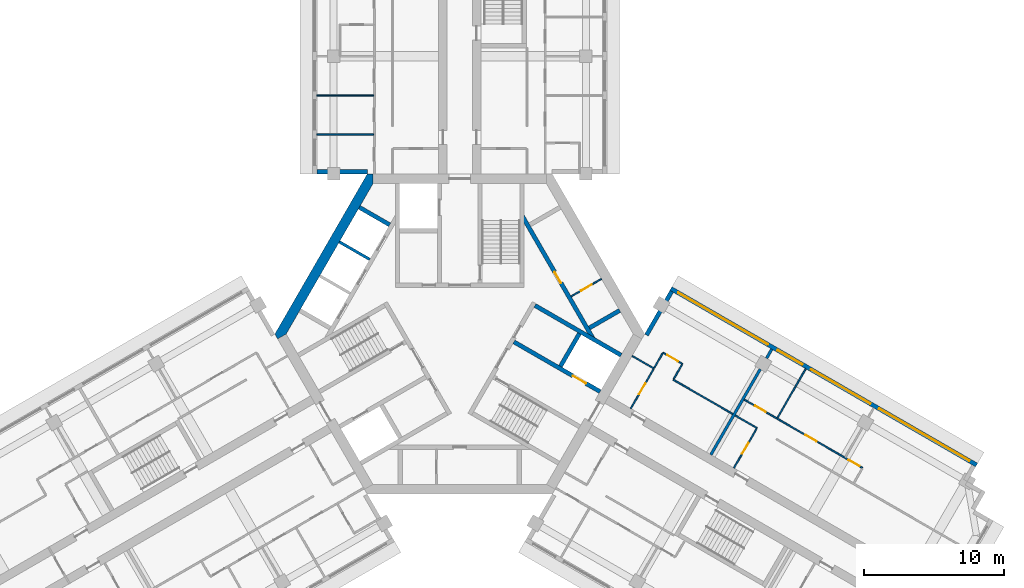
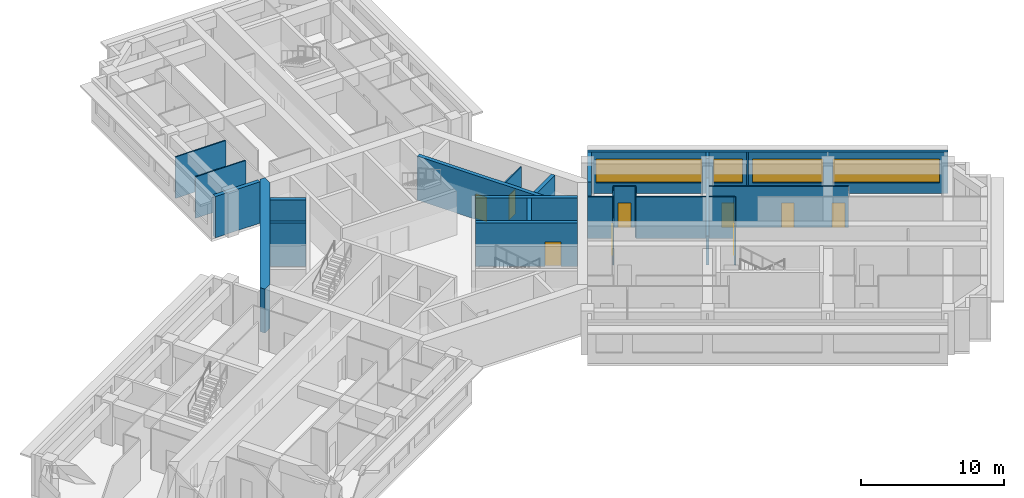
# One storey, part 6 of 10: 26 walls, 9 doors, 4 windows, 13 openings.
"""IFC4 building model written with IfcOpenShell, lengths in metres."""

from ifc_helpers import new_model, si_unit, direction, frame, frame_2d, origin, place, context, subcontext, project, spatial, polyline, rectangle, outline, extrude, material, layer, layer_set, type_object, element, fill, save


model = new_model("IFC4")

# Units and contexts
model_context = context("Model", 3, precision=1e-05, world=origin(), true_north=direction((0.0, 1.0)))
body_context = subcontext(model_context, "Body", "Model", "MODEL_VIEW")
ifc_project = project(units=[si_unit("LENGTHUNIT", "METRE"), si_unit("AREAUNIT", "SQUARE_METRE"), si_unit("VOLUMEUNIT", "CUBIC_METRE"), si_unit("PLANEANGLEUNIT", "RADIAN"), si_unit("MASSUNIT", "GRAM", prefix="KILO")], contexts=[model_context])

# Site, building, storey
site_placement = place(None, origin())
site = spatial("IfcSite", under=ifc_project, at=site_placement, CompositionType="ELEMENT")
building_placement = place(site_placement, origin())
building = spatial("IfcBuilding", under=site, at=building_placement, Name="Impinga Residences", CompositionType="ELEMENT")
storey_placement = place(building_placement, frame((0.0, 0.0, 192.25)))
storey = spatial("IfcBuildingStorey", under=building, at=storey_placement, Name="L47", CompositionType="ELEMENT", Elevation=192.25)

# Wall, opening, door
ifc_material_1 = material(Name="Concrete blockwork", Category="masonry")
ifc_layer_1 = layer(ifc_material_1, 0.10009765625)
ifc_layer_set_1 = layer_set([ifc_layer_1], Name="CP1 core room partition, blockwork 100")
wall_type_1 = type_object("IfcWallType", Name="CP1 core room partition, blockwork 100", PredefinedType="PARTITIONING", material=ifc_layer_set_1)
wall_1_placement = place(storey_placement, frame((7.95361328125, 2.686767578125, 0.0), z_axis=(0.0, 0.0, 1.0), x_axis=(0.866047370643, 0.499961950354, 0.0)))
wall_1 = element("IfcWall", 1, at=wall_1_placement, inside=storey, type_object=wall_type_1, Name="Core room partition, blockwork L47:CORE:mid:ZP1", PredefinedType="PARTITIONING", context=body_context, shape_type="SweptSolid", body=[
    extrude(rectangle(XDim=2.500244140625, YDim=0.10009765625, at=frame_2d((1.25, 0.0))), origin(), (0.0, 0.0, 1.0), 3.530029296875),
])
opening_1_placement = place(wall_1_placement, frame((0.800048828125, 0.0, 0.0)))
opening_1 = element("IfcOpeningElement", 2, at=opening_1_placement, cuts=wall_1, Name="Opening D6", PredefinedType="OPENING", context=body_context, shape_type="SweptSolid", body=[
    extrude(rectangle(XDim=0.89990234375, YDim=2.10009765625, at=frame_2d((0.449951171875, 1.050048828125))), frame((0.0, 0.06005859375, 0.0), z_axis=(0.0, -1.0, 0.0), x_axis=(1.0, 0.0, 0.0)), (0.0, 0.0, 1.0), 0.1201171875),
])
ifc_material_2 = material(Name="Timber door set", Category="wood")
door_type_1 = type_object("IfcDoorType", Name="D6 riser and store door 900x2100", OperationType="SINGLE_SWING_LEFT", PredefinedType="DOOR", material=ifc_material_2)
door_1_placement = place(opening_1_placement, origin())
door_1 = element("IfcDoor", 3, at=door_1_placement, inside=storey, type_object=door_type_1, Name="Residents' storage lockers door", OperationType="SINGLE_SWING_LEFT", OverallHeight=2.10009765625, OverallWidth=0.89990234375, PredefinedType="DOOR", context=body_context, shape_type="SweptSolid", body=[
    extrude(rectangle(XDim=0.89990234375, YDim=2.10009765625, at=frame_2d((0.449951171875, 1.050048828125))), frame((0.0, 0.02490234375, 0.0), z_axis=(0.0, -1.0, 0.0), x_axis=(1.0, 0.0, 0.0)), (0.0, 0.0, 1.0), 0.050048828125),
])
fill(opening_1, door_1)

# Walls
ifc_material_3 = material(Name="Terracotta rainscreen on blockwork", Category="masonry")
ifc_layer_2 = layer(ifc_material_3, 0.300048828125)
ifc_layer_set_2 = layer_set([ifc_layer_2], Name="EW1 external wall, terracotta rainscreen on blockwork 300")
wall_type_2 = type_object("IfcWallType", Name="EW1 external wall, terracotta rainscreen on blockwork 300", PredefinedType="SOLIDWALL", material=ifc_layer_set_2)
wall_2_placement = place(storey_placement, frame((-6.60009765625, 11.58154296875, 0.0), z_axis=(0.0, 0.0, 1.0), x_axis=(-1.0, 0.0, 0.0)))
element("IfcWall", 4, at=wall_2_placement, inside=storey, type_object=wall_type_2, Name="External wall EW1 L47", PredefinedType="SOLIDWALL", context=body_context, shape_type="SweptSolid", body=[
    extrude(rectangle(XDim=3.599853515625, YDim=0.300048828125, at=frame_2d((1.7998046875, 0.0))), origin(), (0.0, 0.0, 1.0), 3.530029296875),
])
wall_3_placement = place(storey_placement, frame((13.329833984375, -0.074951171875, 0.0), z_axis=(0.0, 0.0, 1.0), x_axis=(0.500012057535, 0.866018442252, 0.0)))
element("IfcWall", 5, at=wall_3_placement, inside=storey, type_object=wall_type_2, Name="External wall EW1 L47", PredefinedType="SOLIDWALL", context=body_context, shape_type="SweptSolid", body=[
    extrude(rectangle(XDim=3.60009765625, YDim=0.300048828125, at=frame_2d((1.800048828125, 0.0))), origin(), (0.0, 0.0, 1.0), 3.530029296875),
])

# Wall, openings, windows
wall_4_placement = place(storey_placement, frame((15.074951171875, 3.24755859375, 0.0), z_axis=(0.0, 0.0, 1.0), x_axis=(0.86602925447, -0.499993330357, 0.0)))
wall_4 = element("IfcWall", 6, at=wall_4_placement, inside=storey, type_object=wall_type_2, Name="External wall EW1 L47", PredefinedType="SOLIDWALL", context=body_context, shape_type="SweptSolid", body=[
    extrude(rectangle(XDim=25.199951171875, YDim=0.300048828125, at=frame_2d((12.60009765625, 0.0))), origin(), (0.0, 0.0, 1.0), 3.530029296875),
])
opening_2_placement = place(wall_4_placement, frame((0.60009765625, 0.0, 0.89990234375)))
opening_2 = element("IfcOpeningElement", 7, at=opening_2_placement, cuts=wall_4, Name="Opening W12", PredefinedType="OPENING", context=body_context, shape_type="SweptSolid", body=[
    extrude(rectangle(XDim=7.39990234375, YDim=2.050048828125, at=frame_2d((3.699951171875, 1.02490234375))), frame((0.0, 0.159912109375, 0.0), z_axis=(0.0, -1.0, 0.0), x_axis=(1.0, 0.0, 0.0)), (0.0, 0.0, 1.0), 0.320068359375),
])
opening_3_placement = place(wall_4_placement, frame((8.800048828125, 0.0, 0.89990234375)))
opening_3 = element("IfcOpeningElement", 8, at=opening_3_placement, cuts=wall_4, Name="Opening W14", PredefinedType="OPENING", context=body_context, shape_type="SweptSolid", body=[
    extrude(rectangle(XDim=2.050048828125, YDim=2.050048828125, at=frame_2d((1.02490234375, 1.02490234375))), frame((0.0, 0.159912109375, 0.0), z_axis=(0.0, -1.0, 0.0), x_axis=(1.0, 0.0, 0.0)), (0.0, 0.0, 1.0), 0.320068359375),
])
opening_4_placement = place(wall_4_placement, frame((11.550048828125, 0.0, 0.89990234375)))
opening_4 = element("IfcOpeningElement", 9, at=opening_4_placement, cuts=wall_4, Name="Opening W16", PredefinedType="OPENING", context=body_context, shape_type="SweptSolid", body=[
    extrude(rectangle(XDim=4.89990234375, YDim=2.050048828125, at=frame_2d((2.449951171875, 1.02490234375))), frame((0.0, 0.159912109375, 0.0), z_axis=(0.0, -1.0, 0.0), x_axis=(1.0, 0.0, 0.0)), (0.0, 0.0, 1.0), 0.320068359375),
])
opening_5_placement = place(wall_4_placement, frame((17.14990234375, 0.0, 0.89990234375)))
opening_5 = element("IfcOpeningElement", 10, at=opening_5_placement, cuts=wall_4, Name="Opening W7", PredefinedType="OPENING", context=body_context, shape_type="SweptSolid", body=[
    extrude(rectangle(XDim=7.449951171875, YDim=2.050048828125, at=frame_2d((3.72509765625, 1.02490234375))), frame((0.0, 0.159912109375, 0.0), z_axis=(0.0, -1.0, 0.0), x_axis=(1.0, 0.0, 0.0)), (0.0, 0.0, 1.0), 0.320068359375),
])
ifc_material_4 = material(Name="Aluminium window, clear double glazing", Category="aluminium")
window_type_1 = type_object("IfcWindowType", Name="W12 ribbon window 7400x2050", PartitioningType="SINGLE_PANEL", PredefinedType="WINDOW", material=ifc_material_4)
window_1_placement = place(opening_2_placement, origin())
window_1 = element("IfcWindow", 11, at=window_1_placement, inside=storey, type_object=window_type_1, Name="Window L47", OverallHeight=2.050048828125, OverallWidth=7.39990234375, PartitioningType="SINGLE_PANEL", PredefinedType="WINDOW", context=body_context, shape_type="SweptSolid", body=[
    extrude(rectangle(XDim=7.39990234375, YDim=2.050048828125, at=frame_2d((3.699951171875, 1.02490234375))), frame((0.0, 0.030029296875, 0.0), z_axis=(0.0, -1.0, 0.0), x_axis=(1.0, 0.0, 0.0)), (0.0, 0.0, 1.0), 0.06005859375),
])
fill(opening_2, window_1)
window_type_2 = type_object("IfcWindowType", Name="W14 ribbon window 2050x2050", PartitioningType="SINGLE_PANEL", PredefinedType="WINDOW", material=ifc_material_4)
window_2_placement = place(opening_3_placement, origin())
window_2 = element("IfcWindow", 12, at=window_2_placement, inside=storey, type_object=window_type_2, Name="Window L47", OverallHeight=2.050048828125, OverallWidth=2.050048828125, PartitioningType="SINGLE_PANEL", PredefinedType="WINDOW", context=body_context, shape_type="SweptSolid", body=[
    extrude(rectangle(XDim=2.050048828125, YDim=2.050048828125, at=frame_2d((1.02490234375, 1.02490234375))), frame((0.0, 0.030029296875, 0.0), z_axis=(0.0, -1.0, 0.0), x_axis=(1.0, 0.0, 0.0)), (0.0, 0.0, 1.0), 0.06005859375),
])
fill(opening_3, window_2)
window_type_3 = type_object("IfcWindowType", Name="W16 ribbon window 4900x2050", PartitioningType="SINGLE_PANEL", PredefinedType="WINDOW", material=ifc_material_4)
window_3_placement = place(opening_4_placement, origin())
window_3 = element("IfcWindow", 13, at=window_3_placement, inside=storey, type_object=window_type_3, Name="Window L47", OverallHeight=2.050048828125, OverallWidth=4.89990234375, PartitioningType="SINGLE_PANEL", PredefinedType="WINDOW", context=body_context, shape_type="SweptSolid", body=[
    extrude(rectangle(XDim=4.89990234375, YDim=2.050048828125, at=frame_2d((2.449951171875, 1.02490234375))), frame((0.0, 0.030029296875, 0.0), z_axis=(0.0, -1.0, 0.0), x_axis=(1.0, 0.0, 0.0)), (0.0, 0.0, 1.0), 0.06005859375),
])
fill(opening_4, window_3)
window_type_4 = type_object("IfcWindowType", Name="W7 ribbon window 7450x2050", PartitioningType="SINGLE_PANEL", PredefinedType="WINDOW", material=ifc_material_4)
window_4_placement = place(opening_5_placement, origin())
window_4 = element("IfcWindow", 14, at=window_4_placement, inside=storey, type_object=window_type_4, Name="Window L47", OverallHeight=2.050048828125, OverallWidth=7.449951171875, PartitioningType="SINGLE_PANEL", PredefinedType="WINDOW", context=body_context, shape_type="SweptSolid", body=[
    extrude(rectangle(XDim=7.449951171875, YDim=2.050048828125, at=frame_2d((3.72509765625, 1.02490234375))), frame((0.0, 0.030029296875, 0.0), z_axis=(0.0, -1.0, 0.0), x_axis=(1.0, 0.0, 0.0)), (0.0, 0.0, 1.0), 0.06005859375),
])
fill(opening_5, window_4)

# Walls
ifc_material_5 = material(Name="Gypsum board on steel studs", Category="steel")
ifc_layer_3 = layer(ifc_material_5, 0.10009765625)
ifc_layer_set_3 = layer_set([ifc_layer_3], Name="Gypsum board on steel studs")
wall_type_3 = type_object("IfcWallType", Name="IP1 partition 100", PredefinedType="PARTITIONING", material=ifc_layer_set_3)
for number, where, z_axis, x_axis, name in (
    (15, (-6.14990234375, 14.2314453125, 0.0), (0.0, 0.0, 1.0), (-1.0, 0.0, 0.0), "Partition L47-NA1:OB1"),
    (16, (-6.14990234375, 17.031494140625, 0.0), (0.0, 0.0, 1.0), (-1.0, 0.0, 0.0), "Partition L47-NA1:OB2"),
):
    element("IfcWall", number, at=place(storey_placement, frame(where, z_axis=z_axis, x_axis=x_axis)), inside=storey, type_object=wall_type_3, Name=name, PredefinedType="PARTITIONING", context=body_context, shape_type="SweptSolid", body=[
        extrude(rectangle(XDim=4.050048828125, YDim=0.10009765625, at=frame_2d((2.02490234375, 0.0))), origin(), (0.0, 0.0, 1.0), 3.530029296875),
    ])
wall_5_placement = place(storey_placement, frame((12.300048828125, -1.558837890625, 0.0), z_axis=(0.0, 0.0, 1.0), x_axis=(0.866047807691, -0.499961193289, 0.0)))
element("IfcWall", 17, at=wall_5_placement, inside=storey, type_object=wall_type_3, Name="Partition L47-EA1:DIV0", PredefinedType="PARTITIONING", context=body_context, shape_type="SweptSolid", body=[
    extrude(rectangle(XDim=1.800048828125, YDim=0.10009765625, at=frame_2d((0.89990234375, 0.0))), origin(), (0.0, 0.0, 1.0), 3.530029296875),
])
wall_6_placement = place(storey_placement, frame((15.244384765625, -3.2587890625, 0.0), z_axis=(0.0, 0.0, 1.0), x_axis=(0.866036242063, -0.49998122708, 0.0)))
element("IfcWall", 18, at=wall_6_placement, inside=storey, type_object=wall_type_3, Name="Partition L47-EA1:DIV1", PredefinedType="PARTITIONING", context=body_context, shape_type="SweptSolid", body=[
    extrude(rectangle(XDim=4.900146484375, YDim=0.10009765625, at=frame_2d((2.4501953125, 0.0))), origin(), (0.0, 0.0, 1.0), 3.530029296875),
])

# Wall, opening, door
wall_7_placement = place(storey_placement, frame((14.5087890625, -1.3330078125, 0.0), z_axis=(0.0, 0.0, 1.0), x_axis=(0.866028054938, -0.499995408039, 0.0)))
wall_7 = element("IfcWall", 19, at=wall_7_placement, inside=storey, type_object=wall_type_3, Name="Partition L47-EA1:STRIP", PredefinedType="PARTITIONING", context=body_context, shape_type="SweptSolid", body=[
    extrude(rectangle(XDim=1.60009765625, YDim=0.10009765625, at=frame_2d((0.800048828125, 0.0))), origin(), (0.0, 0.0, 1.0), 3.530029296875),
])
opening_6_placement = place(wall_7_placement, frame((0.35009765625, 0.0, 0.0)))
opening_6 = element("IfcOpeningElement", 20, at=opening_6_placement, cuts=wall_7, Name="Opening D2", PredefinedType="OPENING", context=body_context, shape_type="SweptSolid", body=[
    extrude(rectangle(XDim=0.89990234375, YDim=2.10009765625, at=frame_2d((0.449951171875, 1.050048828125))), frame((0.0, 0.06005859375, 0.0), z_axis=(0.0, -1.0, 0.0), x_axis=(1.0, 0.0, 0.0)), (0.0, 0.0, 1.0), 0.1201171875),
])
door_type_2 = type_object("IfcDoorType", Name="D2 internal door 900x2100", OperationType="SINGLE_SWING_LEFT", PredefinedType="DOOR", material=ifc_material_2)
door_2_placement = place(opening_6_placement, origin())
door_2 = element("IfcDoor", 21, at=door_2_placement, inside=storey, type_object=door_type_2, Name="Apartment L47-EA1 room door", OperationType="SINGLE_SWING_LEFT", OverallHeight=2.10009765625, OverallWidth=0.89990234375, PredefinedType="DOOR", context=body_context, shape_type="SweptSolid", body=[
    extrude(rectangle(XDim=0.89990234375, YDim=2.10009765625, at=frame_2d((0.449951171875, 1.050048828125))), frame((0.0, 0.02490234375, 0.0), z_axis=(0.0, -1.0, 0.0), x_axis=(1.0, 0.0, 0.0)), (0.0, 0.0, 1.0), 0.050048828125),
])
fill(opening_6, door_2)

# Walls
wall_8_placement = place(storey_placement, frame((13.8837890625, -2.41552734375, 0.0), z_axis=(0.0, 0.0, 1.0), x_axis=(0.500033551112, 0.866006032174, 0.0)))
element("IfcWall", 22, at=wall_8_placement, inside=storey, type_object=wall_type_3, Name="Partition L47-EA1:SE0", PredefinedType="PARTITIONING", context=body_context, shape_type="SweptSolid", body=[
    extrude(rectangle(XDim=1.2001953125, YDim=0.10009765625, at=frame_2d((0.60009765625, 0.0))), origin(), (0.0, 0.0, 1.0), 3.530029296875),
])
wall_9_placement = place(storey_placement, frame((15.26953125, -3.215576171875, 0.0), z_axis=(0.0, 0.0, 1.0), x_axis=(0.499880961361, 0.866094119867, 0.0)))
element("IfcWall", 23, at=wall_9_placement, inside=storey, type_object=wall_type_3, Name="Partition L47-EA1:SE1", PredefinedType="PARTITIONING", context=body_context, shape_type="SweptSolid", body=[
    extrude(rectangle(XDim=1.199951171875, YDim=0.10009765625, at=frame_2d((0.60009765625, 0.0))), origin(), (0.0, 0.0, 1.0), 3.530029296875),
])

# Wall, opening, door
wall_10_placement = place(storey_placement, frame((12.208740234375, -5.316650390625, 0.0), z_axis=(0.0, 0.0, 1.0), x_axis=(0.500017246033, 0.866015446554, 0.0)))
wall_10 = element("IfcWall", 24, at=wall_10_placement, inside=storey, type_object=wall_type_3, Name="Partition L47-EA1:IB1", PredefinedType="PARTITIONING", context=body_context, shape_type="SweptSolid", body=[
    extrude(rectangle(XDim=3.25, YDim=0.10009765625, at=frame_2d((1.625, 0.0))), origin(), (0.0, 0.0, 1.0), 3.530029296875),
])
opening_7_placement = place(wall_10_placement, frame((1.175048828125, 0.0, 0.0)))
opening_7 = element("IfcOpeningElement", 25, at=opening_7_placement, cuts=wall_10, Name="Opening D2", PredefinedType="OPENING", context=body_context, shape_type="SweptSolid", body=[
    extrude(rectangle(XDim=0.89990234375, YDim=2.10009765625, at=frame_2d((0.449951171875, 1.050048828125))), frame((0.0, 0.06005859375, 0.0), z_axis=(0.0, -1.0, 0.0), x_axis=(1.0, 0.0, 0.0)), (0.0, 0.0, 1.0), 0.1201171875),
])
door_3_placement = place(opening_7_placement, origin())
door_3 = element("IfcDoor", 26, at=door_3_placement, inside=storey, type_object=door_type_2, Name="Apartment L47-EA1 bathroom door", OperationType="SINGLE_SWING_LEFT", OverallHeight=2.10009765625, OverallWidth=0.89990234375, PredefinedType="DOOR", context=body_context, shape_type="SweptSolid", body=[
    extrude(rectangle(XDim=0.89990234375, YDim=2.10009765625, at=frame_2d((0.449951171875, 1.050048828125))), frame((0.0, 0.02490234375, 0.0), z_axis=(0.0, -1.0, 0.0), x_axis=(1.0, 0.0, 0.0)), (0.0, 0.0, 1.0), 0.050048828125),
])
fill(opening_7, door_3)

# Wall
wall_11_placement = place(storey_placement, frame((19.6611328125, -5.808837890625, 0.0), z_axis=(0.0, 0.0, 1.0), x_axis=(0.866047807691, -0.499961193289, 0.0)))
element("IfcWall", 27, at=wall_11_placement, inside=storey, type_object=wall_type_3, Name="Partition L47-EA2:DIV0", PredefinedType="PARTITIONING", context=body_context, shape_type="SweptSolid", body=[
    extrude(rectangle(XDim=1.800048828125, YDim=0.10009765625, at=frame_2d((0.89990234375, 0.0))), origin(), (0.0, 0.0, 1.0), 3.530029296875),
])

# Wall, openings, doors
wall_12_placement = place(storey_placement, frame((20.311279296875, -4.68310546875, 0.0), z_axis=(0.0, 0.0, 1.0), x_axis=(0.866021707014, -0.500006402939, 0.0)))
wall_12 = element("IfcWall", 28, at=wall_12_placement, inside=storey, type_object=wall_type_3, Name="Partition L47-EA2:STRIP", PredefinedType="PARTITIONING", context=body_context, shape_type="SweptSolid", body=[
    extrude(rectangle(XDim=9.749755859375, YDim=0.10009765625, at=frame_2d((4.875, 0.0))), origin(), (0.0, 0.0, 1.0), 3.530029296875),
])
opening_8_placement = place(wall_12_placement, frame((0.875, 0.0, 0.0)))
opening_8 = element("IfcOpeningElement", 29, at=opening_8_placement, cuts=wall_12, Name="Opening D2", PredefinedType="OPENING", context=body_context, shape_type="SweptSolid", body=[
    extrude(rectangle(XDim=0.89990234375, YDim=2.10009765625, at=frame_2d((0.449951171875, 1.050048828125))), frame((0.0, 0.06005859375, 0.0), z_axis=(0.0, -1.0, 0.0), x_axis=(1.0, 0.0, 0.0)), (0.0, 0.0, 1.0), 0.1201171875),
])
opening_9_placement = place(wall_12_placement, frame((5.050048828125, 0.0, 0.0)))
opening_9 = element("IfcOpeningElement", 30, at=opening_9_placement, cuts=wall_12, Name="Opening D2", PredefinedType="OPENING", context=body_context, shape_type="SweptSolid", body=[
    extrude(rectangle(XDim=0.89990234375, YDim=2.10009765625, at=frame_2d((0.449951171875, 1.050048828125))), frame((0.0, 0.06005859375, 0.0), z_axis=(0.0, -1.0, 0.0), x_axis=(1.0, 0.0, 0.0)), (0.0, 0.0, 1.0), 0.1201171875),
])
opening_10_placement = place(wall_12_placement, frame((8.60009765625, 0.0, 0.0)))
opening_10 = element("IfcOpeningElement", 31, at=opening_10_placement, cuts=wall_12, Name="Opening D2", PredefinedType="OPENING", context=body_context, shape_type="SweptSolid", body=[
    extrude(rectangle(XDim=0.89990234375, YDim=2.10009765625, at=frame_2d((0.449951171875, 1.050048828125))), frame((0.0, 0.06005859375, 0.0), z_axis=(0.0, -1.0, 0.0), x_axis=(1.0, 0.0, 0.0)), (0.0, 0.0, 1.0), 0.1201171875),
])
door_4_placement = place(opening_8_placement, origin())
door_4 = element("IfcDoor", 32, at=door_4_placement, inside=storey, type_object=door_type_2, Name="Apartment L47-EA2 room door", OperationType="SINGLE_SWING_LEFT", OverallHeight=2.10009765625, OverallWidth=0.89990234375, PredefinedType="DOOR", context=body_context, shape_type="SweptSolid", body=[
    extrude(rectangle(XDim=0.89990234375, YDim=2.10009765625, at=frame_2d((0.449951171875, 1.050048828125))), frame((0.0, 0.02490234375, 0.0), z_axis=(0.0, -1.0, 0.0), x_axis=(1.0, 0.0, 0.0)), (0.0, 0.0, 1.0), 0.050048828125),
])
fill(opening_8, door_4)
door_5_placement = place(opening_9_placement, origin())
door_5 = element("IfcDoor", 33, at=door_5_placement, inside=storey, type_object=door_type_2, Name="Apartment L47-EA2 room door", OperationType="SINGLE_SWING_RIGHT", OverallHeight=2.10009765625, OverallWidth=0.89990234375, PredefinedType="DOOR", context=body_context, shape_type="SweptSolid", body=[
    extrude(rectangle(XDim=0.89990234375, YDim=2.10009765625, at=frame_2d((0.449951171875, 1.050048828125))), frame((0.0, 0.02490234375, 0.0), z_axis=(0.0, -1.0, 0.0), x_axis=(1.0, 0.0, 0.0)), (0.0, 0.0, 1.0), 0.050048828125),
])
fill(opening_9, door_5)
door_6_placement = place(opening_10_placement, origin())
door_6 = element("IfcDoor", 34, at=door_6_placement, inside=storey, type_object=door_type_2, Name="Apartment L47-EA2 room door", OperationType="SINGLE_SWING_RIGHT", OverallHeight=2.10009765625, OverallWidth=0.89990234375, PredefinedType="DOOR", context=body_context, shape_type="SweptSolid", body=[
    extrude(rectangle(XDim=0.89990234375, YDim=2.10009765625, at=frame_2d((0.449951171875, 1.050048828125))), frame((0.0, 0.02490234375, 0.0), z_axis=(0.0, -1.0, 0.0), x_axis=(1.0, 0.0, 0.0)), (0.0, 0.0, 1.0), 0.050048828125),
])
fill(opening_10, door_6)

# Wall, opening, door
wall_13_placement = place(storey_placement, frame((19.570068359375, -9.566650390625, 0.0), z_axis=(0.0, 0.0, 1.0), x_axis=(0.500017246033, 0.866015446554, 0.0)))
wall_13 = element("IfcWall", 35, at=wall_13_placement, inside=storey, type_object=wall_type_3, Name="Partition L47-EA2:IB1", PredefinedType="PARTITIONING", context=body_context, shape_type="SweptSolid", body=[
    extrude(rectangle(XDim=3.25, YDim=0.10009765625, at=frame_2d((1.625, 0.0))), origin(), (0.0, 0.0, 1.0), 3.530029296875),
])
opening_11_placement = place(wall_13_placement, frame((1.175048828125, 0.0, 0.0)))
opening_11 = element("IfcOpeningElement", 36, at=opening_11_placement, cuts=wall_13, Name="Opening D2", PredefinedType="OPENING", context=body_context, shape_type="SweptSolid", body=[
    extrude(rectangle(XDim=0.89990234375, YDim=2.10009765625, at=frame_2d((0.449951171875, 1.050048828125))), frame((0.0, 0.06005859375, 0.0), z_axis=(0.0, -1.0, 0.0), x_axis=(1.0, 0.0, 0.0)), (0.0, 0.0, 1.0), 0.1201171875),
])
door_7_placement = place(opening_11_placement, origin())
door_7 = element("IfcDoor", 37, at=door_7_placement, inside=storey, type_object=door_type_2, Name="Apartment L47-EA2 bathroom door", OperationType="SINGLE_SWING_LEFT", OverallHeight=2.10009765625, OverallWidth=0.89990234375, PredefinedType="DOOR", context=body_context, shape_type="SweptSolid", body=[
    extrude(rectangle(XDim=0.89990234375, YDim=2.10009765625, at=frame_2d((0.449951171875, 1.050048828125))), frame((0.0, 0.02490234375, 0.0), z_axis=(0.0, -1.0, 0.0), x_axis=(1.0, 0.0, 0.0)), (0.0, 0.0, 1.0), 0.050048828125),
])
fill(opening_11, door_7)

# Walls
wall_14_placement = place(storey_placement, frame((22.674560546875, -5.98974609375, 0.0), z_axis=(0.0, 0.0, 1.0), x_axis=(0.499990325971, 0.866030989016, 0.0)))
element("IfcWall", 38, at=wall_14_placement, inside=storey, type_object=wall_type_3, Name="Partition L47-EA2:OB1", PredefinedType="PARTITIONING", context=body_context, shape_type="SweptSolid", body=[
    extrude(rectangle(XDim=4.0498046875, YDim=0.10009765625, at=frame_2d((2.02490234375, 0.0))), origin(), (0.0, 0.0, 1.0), 3.530029296875),
])
ifc_layer_4 = layer(ifc_material_1, 0.199951171875)
ifc_layer_set_4 = layer_set([ifc_layer_4], Name="PW1 party wall between apartments 200")
wall_type_4 = type_object("IfcWallType", Name="PW1 party wall between apartments 200", PredefinedType="SOLIDWALL", material=ifc_layer_set_4)
wall_15_placement = place(storey_placement, frame((17.924560546875, -8.61669921875, 0.0), z_axis=(0.0, 0.0, 1.0), x_axis=(0.500016218704, 0.866016039709, 0.0)))
element("IfcWall", 39, at=wall_15_placement, inside=storey, type_object=wall_type_4, Name="Party wall between apartments L47-EA1:PARTY", PredefinedType="SOLIDWALL", context=body_context, shape_type="SweptSolid", body=[
    extrude(rectangle(XDim=7.050048828125, YDim=0.199951171875, at=frame_2d((3.52490234375, 0.0))), origin(), (0.0, 0.0, 1.0), 2.47998046875),
])
wall_16_placement = place(storey_placement, frame((21.899658203125, -1.73193359375, 0.0), z_axis=(0.0, 0.0, 1.0), x_axis=(0.499919672301, 0.866071776036, 0.0)))
element("IfcWall", 40, at=wall_16_placement, inside=storey, type_object=wall_type_4, Name="Party wall between apartments L47-EA1:PARTYb", PredefinedType="SOLIDWALL", context=body_context, shape_type="SweptSolid", body=[
    extrude(rectangle(XDim=0.75, YDim=0.199951171875, at=frame_2d((0.375, 0.0))), origin(), (0.0, 0.0, 1.0), 3.530029296875),
])
ifc_material_6 = material(Name="Concrete C60/75", Category="concrete")
ifc_layer_5 = layer(ifc_material_6, 0.699951171875)
ifc_layer_set_5 = layer_set([ifc_layer_5], Name="Concrete C60/75")
wall_type_5 = type_object("IfcWallType", Name="SW3 core wall 700", PredefinedType="SHEAR", material=ifc_layer_set_5)
wall_17_placement = place(storey_placement, origin())
element("IfcWall", 41, at=wall_17_placement, inside=storey, type_object=wall_type_5, Name="Core wall SW3 E:EXPOSED L47", PredefinedType="SHEAR", context=body_context, shape_type="SweptSolid", body=[
    extrude(outline(polyline([(-6.60009765625, 11.431640625), (-13.199951171875, 0.0), (-12.998046875, -0.35009765625), (-12.3916015625, 0.0), (-6.19580078125, 10.7314453125), (-6.19580078125, 11.431640625), (-6.60009765625, 11.431640625)])), origin(), (0.0, 0.0, 1.0), 3.75),
])

# Wall, opening, door
ifc_material_7 = material(Name="Concrete C70/85", Category="concrete")
ifc_layer_6 = layer(ifc_material_7, 0.300048828125)
ifc_layer_set_6 = layer_set([ifc_layer_6], Name="Concrete C70/85")
wall_type_6 = type_object("IfcWallType", Name="SW5 core inner wall, stairs, shafts and lobbies 300", PredefinedType="SHEAR", material=ifc_layer_set_6)
wall_18_placement = place(storey_placement, frame((3.86865234375, -0.559326171875, 0.0), z_axis=(0.0, 0.0, 1.0), x_axis=(0.866025859768, -0.499999210213, 0.0)))
wall_18 = element("IfcWall", 42, at=wall_18_placement, inside=storey, type_object=wall_type_6, Name="Core wall SW5 E:FF-IN L47", PredefinedType="SHEAR", context=body_context, shape_type="SweptSolid", body=[
    extrude(rectangle(XDim=7.1015625, YDim=0.300048828125, at=frame_2d((3.55078125, 0.0))), origin(), (0.0, 0.0, 1.0), 3.75),
])
opening_12_placement = place(wall_18_placement, frame((4.85009765625, 0.0, 0.0)))
opening_12 = element("IfcOpeningElement", 43, at=opening_12_placement, cuts=wall_18, Name="Opening LD2", PredefinedType="OPENING", context=body_context, shape_type="SweptSolid", body=[
    extrude(rectangle(XDim=1.10009765625, YDim=2.10009765625, at=frame_2d((0.550048828125, 1.050048828125))), frame((0.0, 0.159912109375, 0.0), z_axis=(0.0, -1.0, 0.0), x_axis=(1.0, 0.0, 0.0)), (0.0, 0.0, 1.0), 0.320068359375),
])
ifc_material_8 = material(Name="Steel lift landing door", Category="steel")
door_type_3 = type_object("IfcDoorType", Name="LD2 firefighting lift landing door 1100x2100", OperationType="DOUBLE_DOOR_SLIDING", PredefinedType="DOOR", material=ifc_material_8)
door_8_placement = place(opening_12_placement, origin())
door_8 = element("IfcDoor", 44, at=door_8_placement, inside=storey, type_object=door_type_3, Name="Firefighting lift landing door F3", OperationType="DOUBLE_DOOR_SLIDING", OverallHeight=2.10009765625, OverallWidth=1.10009765625, PredefinedType="DOOR", context=body_context, shape_type="SweptSolid", body=[
    extrude(rectangle(XDim=1.10009765625, YDim=2.10009765625, at=frame_2d((0.550048828125, 1.050048828125))), frame((0.0, 0.02490234375, 0.0), z_axis=(0.0, -1.0, 0.0), x_axis=(1.0, 0.0, 0.0)), (0.0, 0.0, 1.0), 0.050048828125),
])
fill(opening_12, door_8)

# Walls
wall_19_placement = place(storey_placement, frame((5.36865234375, 2.038818359375, 0.0), z_axis=(0.0, 0.0, 1.0), x_axis=(0.866025859768, -0.499999210213, 0.0)))
element("IfcWall", 45, at=wall_19_placement, inside=storey, type_object=wall_type_6, Name="Core wall SW5 E:FF-OUT L47", PredefinedType="SHEAR", context=body_context, shape_type="SweptSolid", body=[
    extrude(rectangle(XDim=7.1015625, YDim=0.300048828125, at=frame_2d((3.55078125, 0.0))), origin(), (0.0, 0.0, 1.0), 3.75),
])
wall_20_placement = place(storey_placement, frame((8.541259765625, 0.033935546875, 0.0), z_axis=(0.0, 0.0, 1.0), x_axis=(-0.50000943426, -0.866019956843, 0.0)))
element("IfcWall", 46, at=wall_20_placement, inside=storey, type_object=wall_type_6, Name="Core wall SW5 E:FF-RS L47", PredefinedType="SHEAR", context=body_context, shape_type="SweptSolid", body=[
    extrude(rectangle(XDim=2.7001953125, YDim=0.300048828125, at=frame_2d((1.35009765625, 0.0))), origin(), (0.0, 0.0, 1.0), 3.75),
])

# Wall, opening, door
wall_21_placement = place(storey_placement, frame((4.449951171875, 8.455322265625, 0.0), z_axis=(0.0, 0.0, 1.0), x_axis=(0.500002290144, -0.866024081565, 0.0)))
wall_21 = element("IfcWall", 47, at=wall_21_placement, inside=storey, type_object=wall_type_6, Name="Core wall SW5 W:BANK-FRONT L47", PredefinedType="SHEAR", context=body_context, shape_type="SweptSolid", body=[
    extrude(rectangle(XDim=10.1953125, YDim=0.300048828125, at=frame_2d((5.09765625, 0.0))), origin(), (0.0, 0.0, 1.0), 3.75),
])
opening_13_placement = place(wall_21_placement, frame((4.647705078125, 0.0, 0.0)))
opening_13 = element("IfcOpeningElement", 48, at=opening_13_placement, cuts=wall_21, Name="Opening D6", PredefinedType="OPENING", context=body_context, shape_type="SweptSolid", body=[
    extrude(rectangle(XDim=0.89990234375, YDim=2.10009765625, at=frame_2d((0.449951171875, 1.050048828125))), frame((0.0, 0.159912109375, 0.0), z_axis=(0.0, -1.0, 0.0), x_axis=(1.0, 0.0, 0.0)), (0.0, 0.0, 1.0), 0.320068359375),
])
door_9_placement = place(opening_13_placement, origin())
door_9 = element("IfcDoor", 49, at=door_9_placement, inside=storey, type_object=door_type_1, Name="Residents' study door", OperationType="SINGLE_SWING_RIGHT", OverallHeight=2.10009765625, OverallWidth=0.89990234375, PredefinedType="DOOR", context=body_context, shape_type="SweptSolid", body=[
    extrude(rectangle(XDim=0.89990234375, YDim=2.10009765625, at=frame_2d((0.449951171875, 1.050048828125))), frame((0.0, 0.02490234375, 0.0), z_axis=(0.0, -1.0, 0.0), x_axis=(1.0, 0.0, 0.0)), (0.0, 0.0, 1.0), 0.050048828125),
])
fill(opening_13, door_9)

# Walls
for number, where, z_axis, x_axis, name in (
    (50, (9.253662109375, 0.43505859375, 0.0), (0.0, 0.0, 1.0), (0.866022959057, 0.500004234368, 0.0), "Core wall SW5 W:BANK-R L47"),
    (51, (-5.003662109375, 7.79638671875, 0.0), (0.0, 0.0, 1.0), (-0.866022959057, 0.500004234368, 0.0), "Core wall SW5 E:BANK-R L47"),
):
    element("IfcWall", number, at=place(storey_placement, frame(where, z_axis=z_axis, x_axis=x_axis)), inside=storey, type_object=wall_type_6, Name=name, PredefinedType="SHEAR", context=body_context, shape_type="SweptSolid", body=[
        extrude(rectangle(XDim=2.5, YDim=0.300048828125, at=frame_2d((1.25, 0.0))), origin(), (0.0, 0.0, 1.0), 3.75),
    ])
ifc_layer_7 = layer(ifc_material_7, 0.199951171875)
ifc_layer_set_7 = layer_set([ifc_layer_7], Name="Concrete C70/85")
wall_type_7 = type_object("IfcWallType", Name="SW6 lift shaft divider wall 200", PredefinedType="SHEAR", material=ifc_layer_set_7)
wall_22_placement = place(storey_placement, frame((-6.4287109375, 5.328125, 0.0), z_axis=(0.0, 0.0, 1.0), x_axis=(-0.866022959057, 0.500004234368, 0.0)))
element("IfcWall", 52, at=wall_22_placement, inside=storey, type_object=wall_type_7, Name="Core wall SW6 E:BANK-D2 L47", PredefinedType="SHEAR", context=body_context, shape_type="SweptSolid", body=[
    extrude(rectangle(XDim=2.5, YDim=0.199951171875, at=frame_2d((1.25, 0.0))), origin(), (0.0, 0.0, 1.0), 3.75),
])

save(model, "model.ifc")
